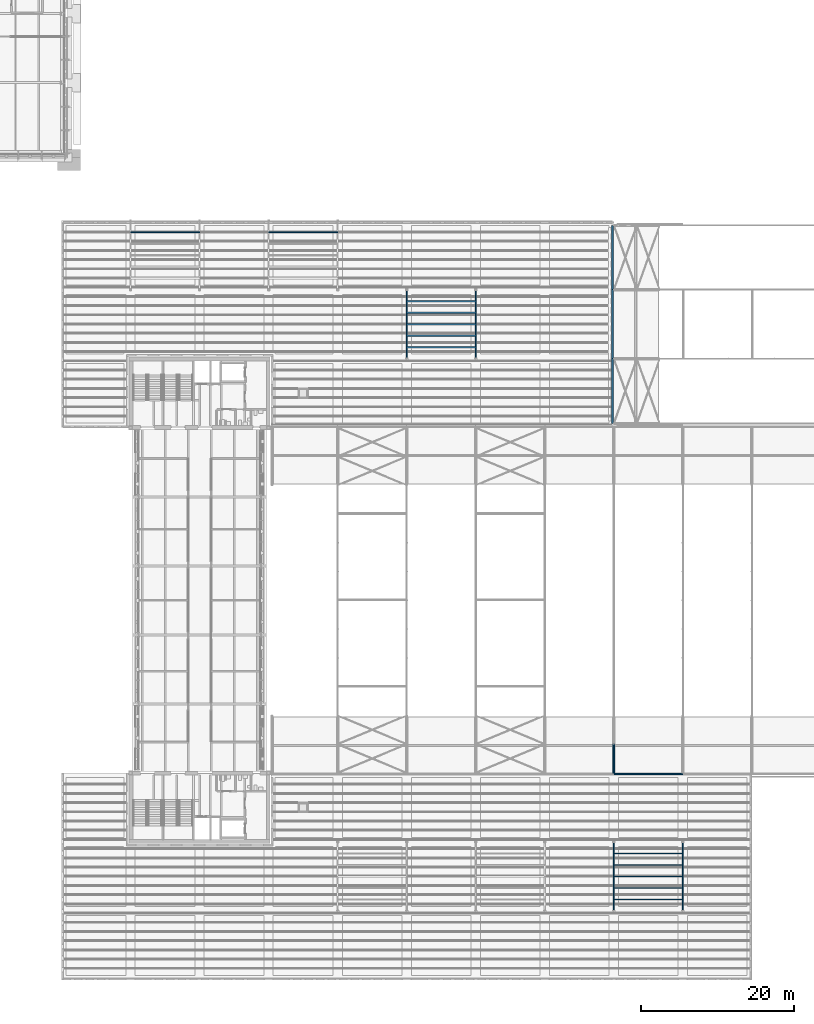
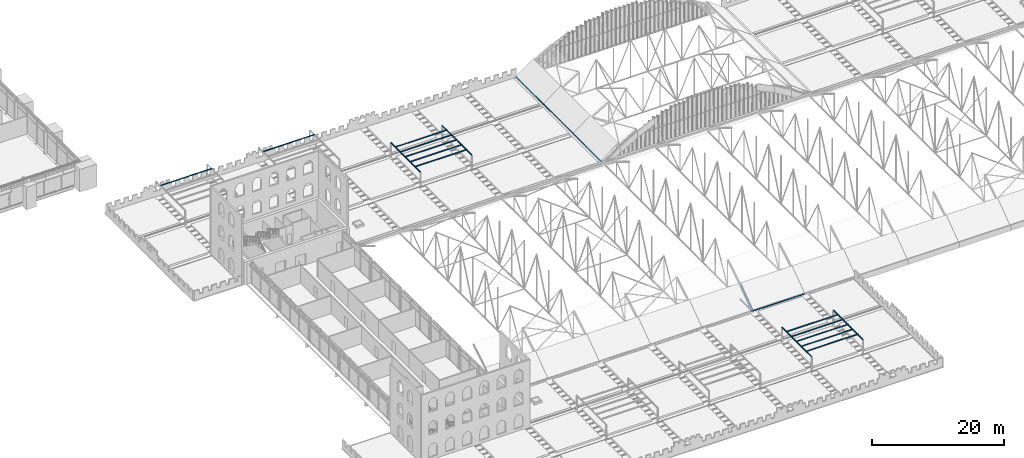
# One storey, part 43 of 153: 18 members, 4 beams.
"""IFC4 building model written with IfcOpenShell, lengths in metres."""

from ifc_helpers import new_model, si_unit, direction, frame, origin, origin_2d, place, context, subcontext, project, spatial, hollow_rectangle, hollow_circle, extrude, material, material_profile, profile_set, type_object, element, save


model = new_model("IFC4")

# Units and contexts
model_context = context("Model", 3, precision=1e-05, world=origin(), true_north=direction((0.0, 1.0)))
body_context = subcontext(model_context, "Body", "Model", "MODEL_VIEW")
ifc_project = project(units=[si_unit("LENGTHUNIT", "METRE"), si_unit("AREAUNIT", "SQUARE_METRE"), si_unit("VOLUMEUNIT", "CUBIC_METRE"), si_unit("PLANEANGLEUNIT", "RADIAN"), si_unit("MASSUNIT", "GRAM", prefix="KILO")], contexts=[model_context])

# Site, building, storey
site_placement = place(None, origin())
site = spatial("IfcSite", under=ifc_project, at=site_placement, CompositionType="ELEMENT")
building_placement = place(site_placement, origin())
building = spatial("IfcBuilding", under=site, at=building_placement, Name="Baradari Gate Terminus", CompositionType="ELEMENT")
storey_placement = place(building_placement, frame((0.0, 0.0, 11.699951171875)))
storey = spatial("IfcBuildingStorey", under=building, at=storey_placement, Name="L02", CompositionType="ELEMENT", Elevation=11.699951171875)

# Beams
ifc_material_1 = material(Name="Steel S355", Category="steel")
ifc_material_profile_1 = material_profile(ifc_material_1, hollow_rectangle(XDim=0.14990234375, YDim=0.14990234375, WallThickness=0.00634765625, InnerFilletRadius=0.00634765625, OuterFilletRadius=0.0126953125, at=origin_2d()), Name="SHS 150x150x6.3")
ifc_profile_set_1 = profile_set([ifc_material_profile_1], Name="Steel S355")
beam_type = type_object("IfcBeamType", Name="Pergola beam SHS 150x150x6.3", PredefinedType="BEAM", material=ifc_profile_set_1)
for number, where, z_axis, x_axis, name in (
    (1, (108.0, 90.0, 2.675048828125), (0.0, 1.0, 0.0), (-1.0, 0.0, 0.0), "RF/L02/PGW3-PGB1"),
    (2, (117.0, 90.0, 2.675048828125), (0.0, 1.0, 0.0), (-1.0, 0.0, 0.0), "RF/L02/PGW3-PGB2"),
    (3, (135.0, 18.0, 2.675048828125), (0.0, 1.0, 0.0), (-1.0, 0.0, 0.0), "RF/L02/PGS3-PGB1"),
    (4, (144.0, 18.0, 2.675048828125), (0.0, 1.0, 0.0), (-1.0, 0.0, 0.0), "RF/L02/PGS3-PGB2"),
):
    element("IfcBeam", number, at=place(storey_placement, frame(where, z_axis=z_axis, x_axis=x_axis)), inside=storey, type_object=beam_type, Name=name, PredefinedType="BEAM", context=body_context, shape_type="SweptSolid", body=[
        extrude(hollow_rectangle(XDim=0.14990234375, YDim=0.14990234375, WallThickness=0.00634765625, InnerFilletRadius=0.00634765625, OuterFilletRadius=0.0126953125, at=origin_2d()), origin(), (0.0, 0.0, 1.0), 9.0),
    ])

# Members
ifc_material_2 = material(Name="Steel S355", Category="steel")
ifc_material_profile_2 = material_profile(ifc_material_2, hollow_rectangle(XDim=0.10009765625, YDim=0.10009765625, WallThickness=0.00634765625, InnerFilletRadius=0.00634765625, OuterFilletRadius=0.0126953125, at=origin_2d()), Name="SHS 100x100x6.3")
ifc_profile_set_2 = profile_set([ifc_material_profile_2], Name="Steel S355")
member_type_1 = type_object("IfcMemberType", Name="Pergola rafter SHS 100x100x6.3", PredefinedType="STRINGER", material=ifc_profile_set_2)
for number, where, z_axis, x_axis, name in (
    (5, (72.0, 106.5, 2.800048828125), (1.0, 0.0, 0.0), (0.0, 1.0, 0.0), "RF/L02/PGW1-PGR5"),
    (6, (90.0, 106.5, 2.800048828125), (1.0, 0.0, 0.0), (0.0, 1.0, 0.0), "RF/L02/PGW2-PGR5"),
    (7, (108.0, 91.5, 2.800048828125), (1.0, 0.0, 0.0), (0.0, 1.0, 0.0), "RF/L02/PGW3-PGR1"),
    (8, (108.0, 93.0, 2.800048828125), (1.0, 0.0, 0.0), (0.0, 1.0, 0.0), "RF/L02/PGW3-PGR2"),
    (9, (108.0, 94.5, 2.800048828125), (1.0, 0.0, 0.0), (0.0, 1.0, 0.0), "RF/L02/PGW3-PGR3"),
    (10, (108.0, 96.0, 2.800048828125), (1.0, 0.0, 0.0), (0.0, 1.0, 0.0), "RF/L02/PGW3-PGR4"),
    (11, (108.0, 97.5, 2.800048828125), (1.0, 0.0, 0.0), (0.0, 1.0, 0.0), "RF/L02/PGW3-PGR5"),
    (12, (135.0, 19.5, 2.800048828125), (1.0, 0.0, 0.0), (0.0, 1.0, 0.0), "RF/L02/PGS3-PGR1"),
    (13, (135.0, 21.0, 2.800048828125), (1.0, 0.0, 0.0), (0.0, 1.0, 0.0), "RF/L02/PGS3-PGR2"),
    (14, (135.0, 22.5, 2.800048828125), (1.0, 0.0, 0.0), (0.0, 1.0, 0.0), "RF/L02/PGS3-PGR3"),
    (15, (135.0, 24.0, 2.800048828125), (1.0, 0.0, 0.0), (0.0, 1.0, 0.0), "RF/L02/PGS3-PGR4"),
    (16, (135.0, 25.5, 2.800048828125), (1.0, 0.0, 0.0), (0.0, 1.0, 0.0), "RF/L02/PGS3-PGR5"),
):
    element("IfcMember", number, at=place(storey_placement, frame(where, z_axis=z_axis, x_axis=x_axis)), inside=storey, type_object=member_type_1, Name=name, PredefinedType="STRINGER", context=body_context, shape_type="SweptSolid", body=[
        extrude(hollow_rectangle(XDim=0.10009765625, YDim=0.10009765625, WallThickness=0.00634765625, InnerFilletRadius=0.00634765625, OuterFilletRadius=0.0126953125, at=origin_2d()), origin(), (0.0, 0.0, 1.0), 9.0),
    ])
ifc_material_3 = material(Name="Steel S355", Category="steel")
ifc_material_profile_3 = material_profile(ifc_material_3, hollow_circle(Radius=0.136474609375, WallThickness=0.012451171875, at=origin_2d()), Name="CHS 273x12.5")
ifc_profile_set_3 = profile_set([ifc_material_profile_3], Name="Steel S355")
member_type_2 = type_object("IfcMemberType", Name="Shed bottom chord CHS 273x12.5", PredefinedType="CHORD", material=ifc_profile_set_3)
member_1_placement = place(storey_placement, frame((135.0, 36.0, 0.136474609375), z_axis=(0.0, 1.0, 0.0), x_axis=(-1.0, 0.0, 0.0)))
element("IfcMember", 17, at=member_1_placement, inside=storey, type_object=member_type_2, Name="TR/L02/S135-BC00", PredefinedType="CHORD", context=body_context, shape_type="SweptSolid", body=[
    extrude(hollow_circle(Radius=0.136474609375, WallThickness=0.012451171875, at=origin_2d()), origin(), (0.0, 0.0, 1.0), 3.75),
])
ifc_material_4 = material(Name="Steel S355", Category="steel")
ifc_material_profile_4 = material_profile(ifc_material_4, hollow_rectangle(XDim=0.199951171875, YDim=0.199951171875, WallThickness=0.008056640625, InnerFilletRadius=0.008056640625, OuterFilletRadius=0.01611328125, at=origin_2d()), Name="SHS 200x200x8")
ifc_profile_set_4 = profile_set([ifc_material_profile_4], Name="Steel S355")
member_type_3 = type_object("IfcMemberType", Name="Shed purlin SHS 200x200x8", PredefinedType="PURLIN", material=ifc_profile_set_4)
member_2_placement = place(storey_placement, frame((135.0, 35.8427734375, 0.350830078125), z_axis=(1.0, 0.0, 0.0), x_axis=(0.0, 0.80640499586, 0.591363663621)))
element("IfcMember", 18, at=member_2_placement, inside=storey, type_object=member_type_3, Name="TR/L02/B144-PU00", PredefinedType="PURLIN", context=body_context, shape_type="SweptSolid", body=[
    extrude(hollow_rectangle(XDim=0.199951171875, YDim=0.199951171875, WallThickness=0.008056640625, InnerFilletRadius=0.008056640625, OuterFilletRadius=0.01611328125, at=origin_2d()), origin(), (0.0, 0.0, 1.0), 9.0),
])
member_3_placement = place(storey_placement, frame((134.852294921875, 81.550048828125, 0.323974609375), z_axis=(0.0, 1.0, 0.0), x_axis=(-0.80640499586, 0.0, -0.591363663621)))
element("IfcMember", 19, at=member_3_placement, inside=storey, type_object=member_type_3, Name="TR/L02/VP1-PU00", PredefinedType="PURLIN", context=body_context, shape_type="SweptSolid", body=[
    extrude(hollow_rectangle(XDim=0.199951171875, YDim=0.199951171875, WallThickness=0.008056640625, InnerFilletRadius=0.008056640625, OuterFilletRadius=0.01611328125, at=origin_2d()), origin(), (0.0, 0.0, 1.0), 8.449951171875),
])
member_4_placement = place(storey_placement, frame((134.852294921875, 90.0, 0.323974609375), z_axis=(0.0, 1.0, 0.0), x_axis=(-0.80640499586, 0.0, -0.591363663621)))
element("IfcMember", 20, at=member_4_placement, inside=storey, type_object=member_type_3, Name="TR/L02/VP2-PU00", PredefinedType="PURLIN", context=body_context, shape_type="SweptSolid", body=[
    extrude(hollow_rectangle(XDim=0.199951171875, YDim=0.199951171875, WallThickness=0.008056640625, InnerFilletRadius=0.008056640625, OuterFilletRadius=0.01611328125, at=origin_2d()), origin(), (0.0, 0.0, 1.0), 9.0),
])
member_5_placement = place(storey_placement, frame((134.852294921875, 99.0, 0.323974609375), z_axis=(0.0, 1.0, 0.0), x_axis=(-0.80640499586, 0.0, -0.591363663621)))
element("IfcMember", 21, at=member_5_placement, inside=storey, type_object=member_type_3, Name="TR/L02/VP3-PU00", PredefinedType="PURLIN", context=body_context, shape_type="SweptSolid", body=[
    extrude(hollow_rectangle(XDim=0.199951171875, YDim=0.199951171875, WallThickness=0.008056640625, InnerFilletRadius=0.008056640625, OuterFilletRadius=0.01611328125, at=origin_2d()), origin(), (0.0, 0.0, 1.0), 8.39990234375),
])
ifc_material_5 = material(Name="Steel S355", Category="steel")
ifc_material_profile_5 = material_profile(ifc_material_5, hollow_circle(Radius=0.177734375, WallThickness=0.01611328125, at=origin_2d()), Name="CHS 355.6x16")
ifc_profile_set_5 = profile_set([ifc_material_profile_5], Name="Steel S355")
member_type_4 = type_object("IfcMemberType", Name="Shed top chord CHS 355.6x16", PredefinedType="CHORD", material=ifc_profile_set_5)
member_6_placement = place(storey_placement, frame((135.0, 36.0, 0.136474609375), z_axis=(0.0, 0.806404995856, 0.591363663628), x_axis=(-1.0, 0.0, 0.0)))
element("IfcMember", 22, at=member_6_placement, inside=storey, type_object=member_type_4, Name="TR/L02/S135-TC00", PredefinedType="CHORD", context=body_context, shape_type="SweptSolid", body=[
    extrude(hollow_circle(Radius=0.177734375, WallThickness=0.01611328125, at=origin_2d()), origin(), (0.0, 0.0, 1.0), 4.650390625),
])

save(model, "model.ifc")
